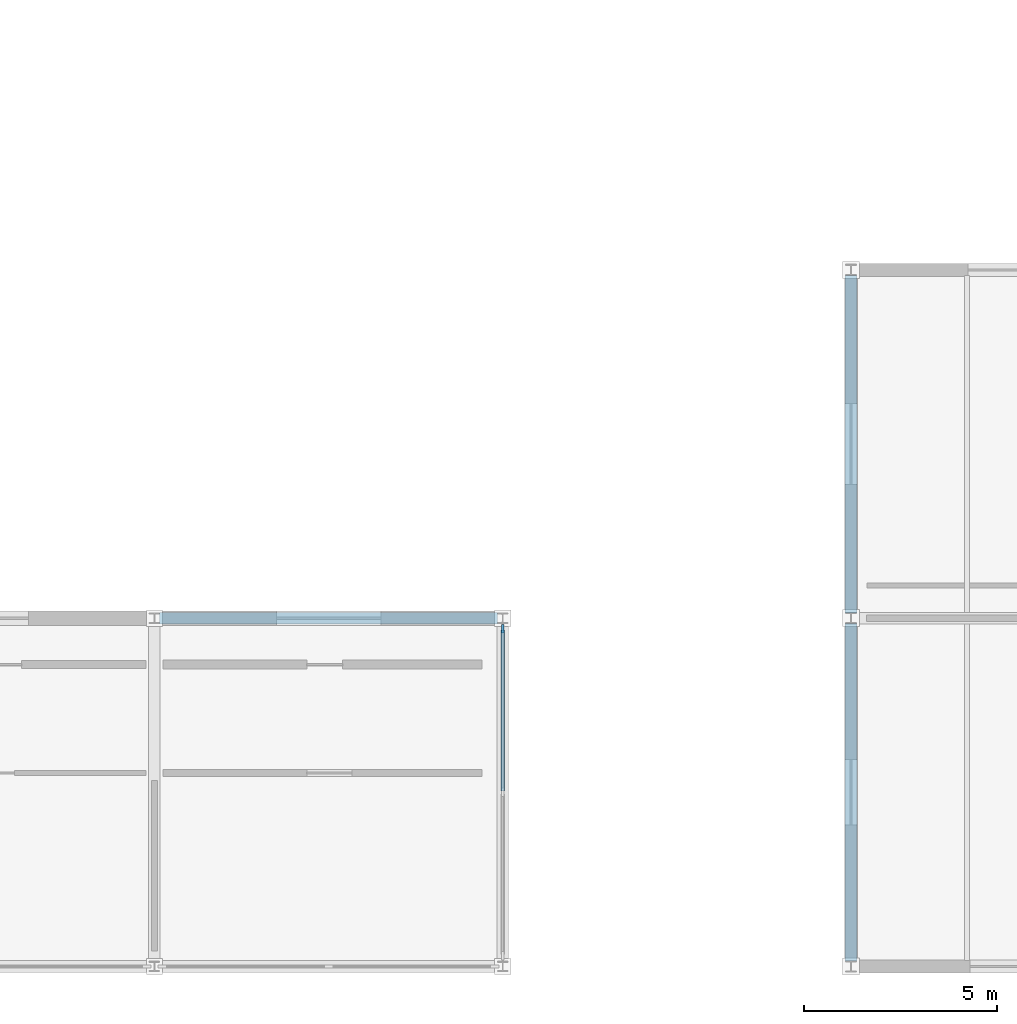
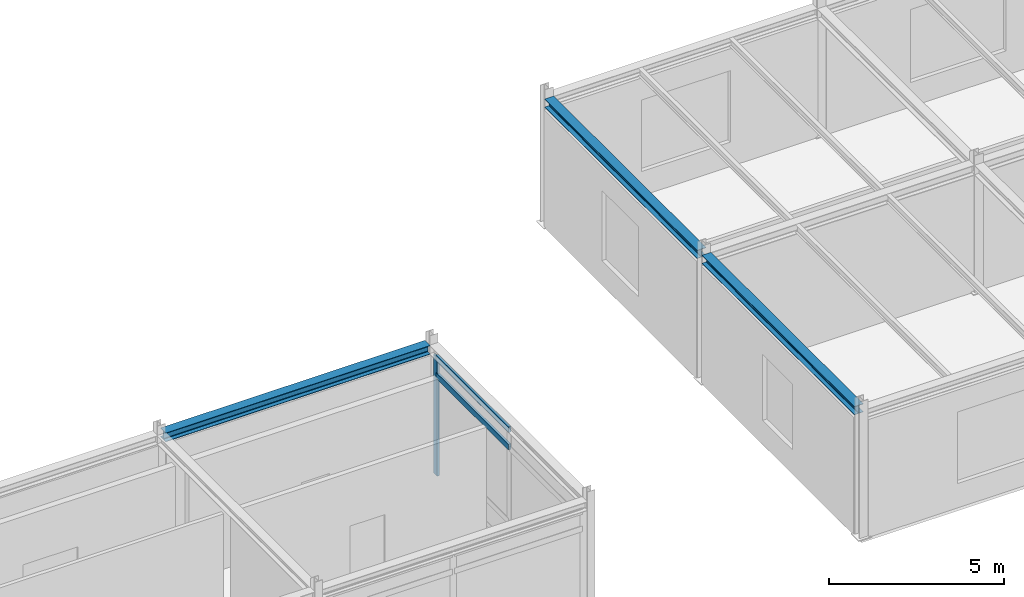
# One storey, part 17 of 61: 3 beams, 3 members, 1 element without a shape of its own.
"""IFC4 building model written with IfcOpenShell, lengths in metres."""

from ifc_helpers import new_model, si_unit, direction, frame, origin, origin_2d, place, context, subcontext, project, spatial, rectangle, i_section, extrude, material, material_profile, profile_set, type_object, element, aggregate, save


model = new_model("IFC4")

# Units and contexts
model_context = context("Model", 3, precision=1e-05, world=origin(), true_north=direction((0.0, 1.0)))
body_context = subcontext(model_context, "Body", "Model", "MODEL_VIEW")
ifc_project = project(units=[si_unit("LENGTHUNIT", "METRE"), si_unit("AREAUNIT", "SQUARE_METRE"), si_unit("VOLUMEUNIT", "CUBIC_METRE"), si_unit("PLANEANGLEUNIT", "RADIAN"), si_unit("MASSUNIT", "GRAM", prefix="KILO")], contexts=[model_context])

# Site, building, storey
site_placement = place(None, origin())
site = spatial("IfcSite", under=ifc_project, at=site_placement, CompositionType="ELEMENT")
building_placement = place(site_placement, origin())
building = spatial("IfcBuilding", under=site, at=building_placement, Name="Bozkorgan Art Gallery", CompositionType="ELEMENT")
storey_placement = place(building_placement, frame((0.0, 0.0, 10.199951171875)))
storey = spatial("IfcBuildingStorey", under=building, at=storey_placement, Name="L02", CompositionType="ELEMENT", Elevation=10.199951171875)

# Beams
ifc_material_1 = material(Name="Steel S355J2", Category="steel")
ifc_material_profile_1 = material_profile(ifc_material_1, i_section(OverallWidth=0.300048828125, OverallDepth=0.31005859375, WebThickness=0.009033203125, FlangeThickness=0.015380859375, FilletRadius=0.027099609375, at=origin_2d()), Name="HEA 320")
ifc_profile_set_1 = profile_set([ifc_material_profile_1], Name="Steel S355J2")
beam_type_1 = type_object("IfcBeamType", Name="BEAM-BM-36", PredefinedType="BEAM", material=ifc_profile_set_1)
beam_placement = place(storey_placement, frame((110.1298828125, 11.0, 4.324951171875), z_axis=(1.0, 0.0, 0.0), x_axis=(0.0, 1.0, 0.0)))
element("IfcBeam", 1, at=beam_placement, inside=storey, type_object=beam_type_1, Name="V3 L02 beam X (110-119, 11.0)", PredefinedType="BEAM", context=body_context, shape_type="SweptSolid", body=[
    extrude(i_section(OverallWidth=0.300048828125, OverallDepth=0.31005859375, WebThickness=0.009033203125, FlangeThickness=0.015380859375, FilletRadius=0.027099609375, at=origin_2d()), origin(), (0.0, 0.0, 1.0), 8.740234375),
])
ifc_material_profile_2 = material_profile(ifc_material_1, i_section(OverallWidth=0.300048828125, OverallDepth=0.2900390625, WebThickness=0.008544921875, FlangeThickness=0.013916015625, FilletRadius=0.027099609375, at=origin_2d()), Name="HEA 300")
ifc_profile_set_2 = profile_set([ifc_material_profile_2], Name="Steel S355J2")
beam_type_2 = type_object("IfcBeamType", Name="BEAM-SP-84", PredefinedType="SPANDREL", material=ifc_profile_set_2)
for number, where, z_axis, x_axis, name in (
    (2, (128.0, 2.139892578125, 4.3349609375), (0.0, 1.0, 0.0), (-1.0, 0.0, 0.0), "V6 L02 spandrel Y (128, 2.0-11.0)"),
    (3, (128.0, 11.139892578125, 4.3349609375), (0.0, 1.0, 0.0), (-1.0, 0.0, 0.0), "V6 L02 spandrel Y (128, 11.0-20.0)"),
):
    element("IfcBeam", number, at=place(storey_placement, frame(where, z_axis=z_axis, x_axis=x_axis)), inside=storey, type_object=beam_type_2, Name=name, PredefinedType="SPANDREL", context=body_context, shape_type="SweptSolid", body=[
        extrude(i_section(OverallWidth=0.300048828125, OverallDepth=0.2900390625, WebThickness=0.008544921875, FlangeThickness=0.013916015625, FilletRadius=0.027099609375, at=origin_2d()), origin(), (0.0, 0.0, 1.0), 8.72021484375),
    ])

# Curtain wall, members
ifc_material_2 = material(Name="Anodised Bronze Aluminium", Category="aluminium")
curtain_wall_type = type_object("IfcCurtainWallType", Name="CW-CW-46", PredefinedType="NOTDEFINED", material=ifc_material_2)
curtain_wall_placement = place(storey_placement, origin())
curtain_wall = element("IfcCurtainWall", 4, at=curtain_wall_placement, inside=storey, type_object=curtain_wall_type, Name="L02 unitised curtain wall CW-V3-L02-1E-10", PredefinedType="NOTDEFINED")
ifc_material_profile_3 = material_profile(ifc_material_2, rectangle(XDim=0.074951171875, YDim=0.219970703125, at=origin_2d()), Name="ALU MULLION 75x220")
ifc_profile_set_3 = profile_set([ifc_material_profile_3], Name="Anodised Bronze Aluminium")
member_type_1 = type_object("IfcMemberType", Name="CWM-02", PredefinedType="MULLION", material=ifc_profile_set_3)
member_1_placement = place(storey_placement, frame((119.0, 10.7275390625, 0.02001953125), z_axis=(0.0, 0.0, 1.0), x_axis=(-1.0, 0.0, 0.0)))
member_1 = element("IfcMember", 5, at=member_1_placement, type_object=member_type_1, Name="CW-46 mullion 3", PredefinedType="MULLION", context=body_context, shape_type="SweptSolid", body=[
    extrude(rectangle(XDim=0.074951171875, YDim=0.219970703125, at=origin_2d()), origin(), (0.0, 0.0, 1.0), 4.135009765625),
])
ifc_material_profile_4 = material_profile(ifc_material_2, rectangle(XDim=0.080078125, YDim=0.199951171875, at=origin_2d()), Name="ALU TRANSOM 80x200")
ifc_profile_set_4 = profile_set([ifc_material_profile_4], Name="Anodised Bronze Aluminium")
member_type_2 = type_object("IfcMemberType", Name="CWT-03", PredefinedType="USERDEFINED", material=ifc_profile_set_4)
member_2_placement = place(storey_placement, frame((119.0, 6.53759765625, 3.505126953125), z_axis=(0.0, 1.0, 0.0), x_axis=(-1.0, 0.0, 0.0)))
member_2 = element("IfcMember", 6, at=member_2_placement, type_object=member_type_2, Name="CW-46 transom 2.3", ObjectType="TRANSOM", PredefinedType="USERDEFINED", context=body_context, shape_type="SweptSolid", body=[
    extrude(rectangle(XDim=0.080078125, YDim=0.199951171875, at=origin_2d()), origin(), (0.0, 0.0, 1.0), 4.15234375),
])
member_3_placement = place(storey_placement, frame((119.0, 6.53759765625, 4.114990234375), z_axis=(0.0, 1.0, 0.0), x_axis=(-1.0, 0.0, 0.0)))
member_3 = element("IfcMember", 7, at=member_3_placement, type_object=member_type_2, Name="CW-46 transom 2.4", ObjectType="TRANSOM", PredefinedType="USERDEFINED", context=body_context, shape_type="SweptSolid", body=[
    extrude(rectangle(XDim=0.080078125, YDim=0.199951171875, at=origin_2d()), origin(), (0.0, 0.0, 1.0), 4.15234375),
])
aggregate(curtain_wall, [member_1, member_2, member_3])

save(model, "model.ifc")
